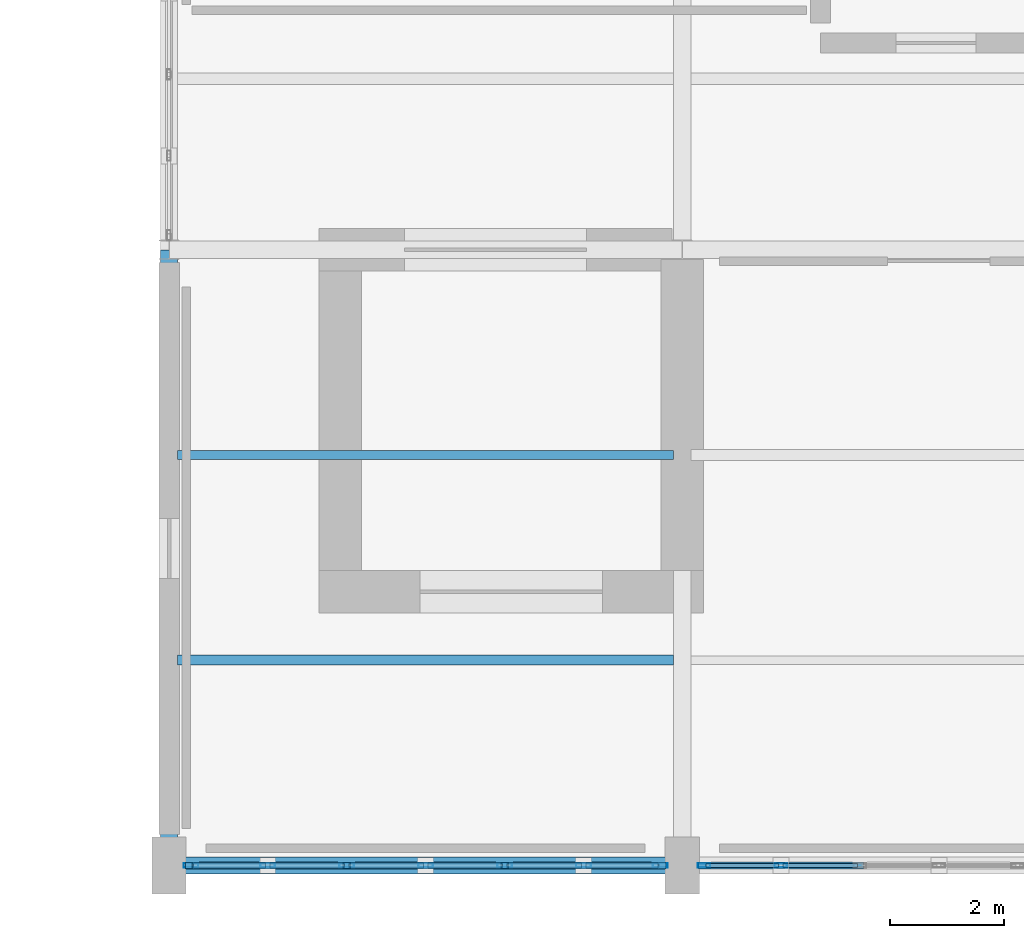
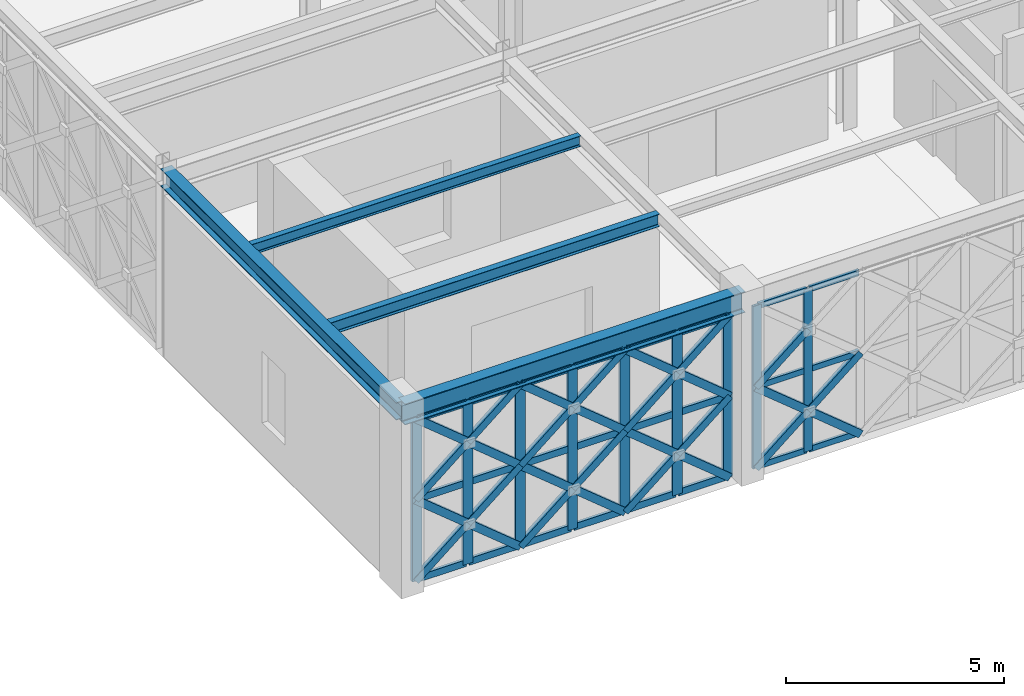
# One storey, part 28 of 166: 55 members, 4 beams, 2 elements without a shape of their own.
"""IFC4 building model written with IfcOpenShell, lengths in metres."""

from ifc_helpers import new_model, si_unit, direction, frame, origin, origin_2d, place, context, subcontext, project, spatial, hollow_rectangle, i_section, extrude, material, material_profile, profile_set, type_object, element, aggregate, save


model = new_model("IFC4")

# Units and contexts
model_context = context("Model", 3, precision=1e-05, world=origin(), true_north=direction((0.0, 1.0)))
body_context = subcontext(model_context, "Body", "Model", "MODEL_VIEW")
ifc_project = project(units=[si_unit("LENGTHUNIT", "METRE"), si_unit("AREAUNIT", "SQUARE_METRE"), si_unit("VOLUMEUNIT", "CUBIC_METRE"), si_unit("PLANEANGLEUNIT", "RADIAN"), si_unit("MASSUNIT", "GRAM", prefix="KILO")], contexts=[model_context])

# Site, building, storey
site_placement = place(None, origin())
site = spatial("IfcSite", under=ifc_project, at=site_placement, CompositionType="ELEMENT")
building_placement = place(site_placement, origin())
building = spatial("IfcBuilding", under=site, at=building_placement, Name="Haizhuo Lancet Aquarium", CompositionType="ELEMENT")
storey_placement = place(building_placement, frame((0.0, 0.0, 5.39990234375)))
storey = spatial("IfcBuildingStorey", under=building, at=storey_placement, Name="L01", CompositionType="ELEMENT", Elevation=5.39990234375)

# Beams
ifc_material_1 = material(Name="Steel S355", Category="steel")
ifc_material_profile_1 = material_profile(ifc_material_1, i_section(OverallWidth=0.300048828125, OverallDepth=0.488037109375, WebThickness=0.010986328125, FlangeThickness=0.01806640625, FilletRadius=0.02392578125, at=origin_2d()), Name="HM 488x300x11x18")
ifc_profile_set_1 = profile_set([ifc_material_profile_1], Name="Steel S355")
beam_type_1 = type_object("IfcBeamType", Name="BM-ST-HM488", PredefinedType="BEAM", material=ifc_profile_set_1)
beam_1_placement = place(storey_placement, frame((-18.0, -55.800048828125, 4.89599609375), z_axis=(0.0, 1.0, 0.0), x_axis=(-1.0, 0.0, 0.0)))
element("IfcBeam", 1, at=beam_1_placement, inside=storey, type_object=beam_type_1, Name="L01 V4 primary girder BM-L01-V4-001", PredefinedType="BEAM", context=body_context, shape_type="SweptSolid", body=[
    extrude(i_section(OverallWidth=0.300048828125, OverallDepth=0.488037109375, WebThickness=0.010986328125, FlangeThickness=0.01806640625, FilletRadius=0.02392578125, at=origin_2d()), origin(), (0.0, 0.0, 1.0), 10.800048828125),
])
ifc_material_profile_2 = material_profile(ifc_material_1, i_section(OverallWidth=0.300048828125, OverallDepth=0.587890625, WebThickness=0.011962890625, FlangeThickness=0.02001953125, FilletRadius=0.02587890625, at=origin_2d()), Name="HM 588x300x12x20")
ifc_profile_set_2 = profile_set([ifc_material_profile_2], Name="Steel S355")
beam_type_2 = type_object("IfcBeamType", Name="BM-ST-HM588", PredefinedType="BEAM", material=ifc_profile_set_2)
beam_2_placement = place(storey_placement, frame((-18.0, -55.800048828125, 4.84619140625), z_axis=(1.0, 0.0, 0.0), x_axis=(0.0, 1.0, 0.0)))
element("IfcBeam", 2, at=beam_2_placement, inside=storey, type_object=beam_type_2, Name="L01 V4 primary girder BM-L01-V4-002", PredefinedType="BEAM", context=body_context, shape_type="SweptSolid", body=[
    extrude(i_section(OverallWidth=0.300048828125, OverallDepth=0.587890625, WebThickness=0.011962890625, FlangeThickness=0.02001953125, FilletRadius=0.02587890625, at=origin_2d()), origin(), (0.0, 0.0, 1.0), 9.0),
])

# Curtain wall, members
ifc_material_2 = material(Name="Aluminium 6063-T6", Category="aluminium")
curtain_wall_type = type_object("IfcCurtainWallType", Name="CWO-8310x4550", PredefinedType="NOTDEFINED", material=ifc_material_2)
curtain_wall_1_placement = place(storey_placement, origin())
curtain_wall_1 = element("IfcCurtainWall", 3, at=curtain_wall_1_placement, inside=storey, type_object=curtain_wall_type, Name="L01 curtain wall CW-V4-L01-098", PredefinedType="NOTDEFINED")
ifc_material_profile_3 = material_profile(ifc_material_2, hollow_rectangle(XDim=0.074951171875, YDim=0.219970703125, WallThickness=0.0048828125, at=origin_2d()), Name="ALU-M 75x220x5")
ifc_profile_set_3 = profile_set([ifc_material_profile_3], Name="Aluminium 6063-T6")
member_type_1 = type_object("IfcMemberType", Name="CW-MUL-2", PredefinedType="MULLION", material=ifc_profile_set_3)
member_1_placement = place(storey_placement, frame((-7.27001953125, -55.800048828125, 0.0), z_axis=(0.0, 0.0, 1.0), x_axis=(0.0, -1.0, 0.0)))
member_1 = element("IfcMember", 4, at=member_1_placement, type_object=member_type_1, Name="CWO-83x45 mullion 6", PredefinedType="MULLION", context=body_context, shape_type="SweptSolid", body=[
    extrude(hollow_rectangle(XDim=0.074951171875, YDim=0.219970703125, WallThickness=0.0048828125, at=origin_2d()), origin(), (0.0, 0.0, 1.0), 4.552001953125),
])
member_2_placement = place(storey_placement, frame((-8.616943359375, -55.800048828125, 0.0), z_axis=(0.0, 0.0, 1.0), x_axis=(0.0, -1.0, 0.0)))
member_2 = element("IfcMember", 5, at=member_2_placement, type_object=member_type_1, Name="CWO-83x45 mullion 7", PredefinedType="MULLION", context=body_context, shape_type="SweptSolid", body=[
    extrude(hollow_rectangle(XDim=0.074951171875, YDim=0.219970703125, WallThickness=0.0048828125, at=origin_2d()), origin(), (0.0, 0.0, 1.0), 4.552001953125),
])

curtain_wall_2_placement = place(storey_placement, origin())
curtain_wall_2 = element("IfcCurtainWall", 6, at=curtain_wall_2_placement, inside=storey, type_object=curtain_wall_type, Name="L01 curtain wall CW-V4-L01-099", PredefinedType="NOTDEFINED")
ifc_material_profile_4 = material_profile(ifc_material_2, hollow_rectangle(XDim=0.080078125, YDim=0.260009765625, WallThickness=0.0048828125, at=origin_2d()), Name="ALU-M 80x260x5")
ifc_profile_set_4 = profile_set([ifc_material_profile_4], Name="Aluminium 6063-T6")
member_type_2 = type_object("IfcMemberType", Name="CW-MUL-3", PredefinedType="MULLION", material=ifc_profile_set_4)
member_3_placement = place(storey_placement, frame((-9.385009765625, -55.800048828125, 0.0), z_axis=(0.0, 0.0, 1.0), x_axis=(0.0, -1.0, 0.0)))
member_3 = element("IfcMember", 7, at=member_3_placement, type_object=member_type_2, Name="CWO-83x45 mullion 1", PredefinedType="MULLION", context=body_context, shape_type="SweptSolid", body=[
    extrude(hollow_rectangle(XDim=0.080078125, YDim=0.260009765625, WallThickness=0.0048828125, at=origin_2d()), origin(), (0.0, 0.0, 1.0), 4.552001953125),
])
member_4_placement = place(storey_placement, frame((-10.72998046875, -55.800048828125, 0.0), z_axis=(0.0, 0.0, 1.0), x_axis=(0.0, -1.0, 0.0)))
member_4 = element("IfcMember", 8, at=member_4_placement, type_object=member_type_2, Name="CWO-83x45 mullion 2", PredefinedType="MULLION", context=body_context, shape_type="SweptSolid", body=[
    extrude(hollow_rectangle(XDim=0.080078125, YDim=0.260009765625, WallThickness=0.0048828125, at=origin_2d()), origin(), (0.0, 0.0, 1.0), 4.552001953125),
])
member_5_placement = place(storey_placement, frame((-12.114990234375, -55.800048828125, 0.0), z_axis=(0.0, 0.0, 1.0), x_axis=(0.0, -1.0, 0.0)))
member_5 = element("IfcMember", 9, at=member_5_placement, type_object=member_type_2, Name="CWO-83x45 mullion 3", PredefinedType="MULLION", context=body_context, shape_type="SweptSolid", body=[
    extrude(hollow_rectangle(XDim=0.080078125, YDim=0.260009765625, WallThickness=0.0048828125, at=origin_2d()), origin(), (0.0, 0.0, 1.0), 4.552001953125),
])
member_6_placement = place(storey_placement, frame((-13.5, -55.800048828125, 0.0), z_axis=(0.0, 0.0, 1.0), x_axis=(0.0, -1.0, 0.0)))
member_6 = element("IfcMember", 10, at=member_6_placement, type_object=member_type_2, Name="CWO-83x45 mullion 4", PredefinedType="MULLION", context=body_context, shape_type="SweptSolid", body=[
    extrude(hollow_rectangle(XDim=0.080078125, YDim=0.260009765625, WallThickness=0.0048828125, at=origin_2d()), origin(), (0.0, 0.0, 1.0), 4.552001953125),
])
member_7_placement = place(storey_placement, frame((-14.885009765625, -55.800048828125, 0.0), z_axis=(0.0, 0.0, 1.0), x_axis=(0.0, -1.0, 0.0)))
member_7 = element("IfcMember", 11, at=member_7_placement, type_object=member_type_2, Name="CWO-83x45 mullion 5", PredefinedType="MULLION", context=body_context, shape_type="SweptSolid", body=[
    extrude(hollow_rectangle(XDim=0.080078125, YDim=0.260009765625, WallThickness=0.0048828125, at=origin_2d()), origin(), (0.0, 0.0, 1.0), 4.552001953125),
])
member_8_placement = place(storey_placement, frame((-16.27001953125, -55.800048828125, 0.0), z_axis=(0.0, 0.0, 1.0), x_axis=(0.0, -1.0, 0.0)))
member_8 = element("IfcMember", 12, at=member_8_placement, type_object=member_type_2, Name="CWO-83x45 mullion 6", PredefinedType="MULLION", context=body_context, shape_type="SweptSolid", body=[
    extrude(hollow_rectangle(XDim=0.080078125, YDim=0.260009765625, WallThickness=0.0048828125, at=origin_2d()), origin(), (0.0, 0.0, 1.0), 4.552001953125),
])
member_9_placement = place(storey_placement, frame((-17.614990234375, -55.800048828125, 0.0), z_axis=(0.0, 0.0, 1.0), x_axis=(0.0, -1.0, 0.0)))
member_9 = element("IfcMember", 13, at=member_9_placement, type_object=member_type_2, Name="CWO-83x45 mullion 7", PredefinedType="MULLION", context=body_context, shape_type="SweptSolid", body=[
    extrude(hollow_rectangle(XDim=0.080078125, YDim=0.260009765625, WallThickness=0.0048828125, at=origin_2d()), origin(), (0.0, 0.0, 1.0), 4.552001953125),
])

# Member
ifc_material_profile_5 = material_profile(ifc_material_2, hollow_rectangle(XDim=0.074951171875, YDim=0.159912109375, WallThickness=0.00390625, at=origin_2d()), Name="ALU-T 75x160x4")
ifc_profile_set_5 = profile_set([ifc_material_profile_5], Name="Aluminium 6063-T6")
member_type_3 = type_object("IfcMemberType", Name="CW-TRN-2", PredefinedType="NOTDEFINED", material=ifc_profile_set_5)
member_10_placement = place(storey_placement, frame((-5.922119140625, -55.800048828125, 0.0380859375), z_axis=(-1.0, 0.0, 0.0), x_axis=(0.0, -1.0, 0.0)))
member_10 = element("IfcMember", 14, at=member_10_placement, type_object=member_type_3, Name="CWO-83x45 transom 5.1", ObjectType="TRANSOM", PredefinedType="USERDEFINED", context=body_context, shape_type="SweptSolid", body=[
    extrude(hollow_rectangle(XDim=0.074951171875, YDim=0.159912109375, WallThickness=0.00390625, at=origin_2d()), origin(), (0.0, 0.0, 1.0), 1.309814453125),
])

member_11_placement = place(storey_placement, frame((-5.922119140625, -55.800048828125, 2.276123046875), z_axis=(-1.0, 0.0, 0.0), x_axis=(0.0, -1.0, 0.0)))
member_11 = element("IfcMember", 15, at=member_11_placement, type_object=member_type_3, Name="CWO-83x45 transom 5.2", ObjectType="TRANSOM", PredefinedType="USERDEFINED", context=body_context, shape_type="SweptSolid", body=[
    extrude(hollow_rectangle(XDim=0.074951171875, YDim=0.159912109375, WallThickness=0.00390625, at=origin_2d()), origin(), (0.0, 0.0, 1.0), 1.309814453125),
])

member_12_placement = place(storey_placement, frame((-5.922119140625, -55.800048828125, 4.51513671875), z_axis=(-1.0, 0.0, 0.0), x_axis=(0.0, -1.0, 0.0)))
member_12 = element("IfcMember", 16, at=member_12_placement, type_object=member_type_3, Name="CWO-83x45 transom 5.3", ObjectType="TRANSOM", PredefinedType="USERDEFINED", context=body_context, shape_type="SweptSolid", body=[
    extrude(hollow_rectangle(XDim=0.074951171875, YDim=0.159912109375, WallThickness=0.00390625, at=origin_2d()), origin(), (0.0, 0.0, 1.0), 1.309814453125),
])

member_13_placement = place(storey_placement, frame((-7.306884765625, -55.800048828125, 0.0380859375), z_axis=(-1.0, 0.0, 0.0), x_axis=(0.0, -1.0, 0.0)))
member_13 = element("IfcMember", 17, at=member_13_placement, type_object=member_type_3, Name="CWO-83x45 transom 6.1", ObjectType="TRANSOM", PredefinedType="USERDEFINED", context=body_context, shape_type="SweptSolid", body=[
    extrude(hollow_rectangle(XDim=0.074951171875, YDim=0.159912109375, WallThickness=0.00390625, at=origin_2d()), origin(), (0.0, 0.0, 1.0), 1.273193359375),
])

member_14_placement = place(storey_placement, frame((-7.306884765625, -55.800048828125, 2.276123046875), z_axis=(-1.0, 0.0, 0.0), x_axis=(0.0, -1.0, 0.0)))
member_14 = element("IfcMember", 18, at=member_14_placement, type_object=member_type_3, Name="CWO-83x45 transom 6.2", ObjectType="TRANSOM", PredefinedType="USERDEFINED", context=body_context, shape_type="SweptSolid", body=[
    extrude(hollow_rectangle(XDim=0.074951171875, YDim=0.159912109375, WallThickness=0.00390625, at=origin_2d()), origin(), (0.0, 0.0, 1.0), 1.273193359375),
])

member_15_placement = place(storey_placement, frame((-7.306884765625, -55.800048828125, 4.51513671875), z_axis=(-1.0, 0.0, 0.0), x_axis=(0.0, -1.0, 0.0)))
member_15 = element("IfcMember", 19, at=member_15_placement, type_object=member_type_3, Name="CWO-83x45 transom 6.3", ObjectType="TRANSOM", PredefinedType="USERDEFINED", context=body_context, shape_type="SweptSolid", body=[
    extrude(hollow_rectangle(XDim=0.074951171875, YDim=0.159912109375, WallThickness=0.00390625, at=origin_2d()), origin(), (0.0, 0.0, 1.0), 1.273193359375),
])

aggregate(curtain_wall_1, [member_1, member_2, member_10, member_11, member_12, member_13, member_14, member_15])

ifc_material_profile_6 = material_profile(ifc_material_2, hollow_rectangle(XDim=0.080078125, YDim=0.18994140625, WallThickness=0.0048828125, at=origin_2d()), Name="ALU-T 80x190x5")
ifc_profile_set_6 = profile_set([ifc_material_profile_6], Name="Aluminium 6063-T6")
member_type_4 = type_object("IfcMemberType", Name="CW-TRN-3", PredefinedType="NOTDEFINED", material=ifc_profile_set_6)
member_16_placement = place(storey_placement, frame((-9.425048828125, -55.800048828125, 0.0400390625), z_axis=(-1.0, 0.0, 0.0), x_axis=(0.0, -1.0, 0.0)))
member_16 = element("IfcMember", 20, at=member_16_placement, type_object=member_type_4, Name="CWO-83x45 transom 1.1", ObjectType="TRANSOM", PredefinedType="USERDEFINED", context=body_context, shape_type="SweptSolid", body=[
    extrude(hollow_rectangle(XDim=0.080078125, YDim=0.18994140625, WallThickness=0.0048828125, at=origin_2d()), origin(), (0.0, 0.0, 1.0), 1.264892578125),
])

member_17_placement = place(storey_placement, frame((-9.425048828125, -55.800048828125, 2.276123046875), z_axis=(-1.0, 0.0, 0.0), x_axis=(0.0, -1.0, 0.0)))
member_17 = element("IfcMember", 21, at=member_17_placement, type_object=member_type_4, Name="CWO-83x45 transom 1.2", ObjectType="TRANSOM", PredefinedType="USERDEFINED", context=body_context, shape_type="SweptSolid", body=[
    extrude(hollow_rectangle(XDim=0.080078125, YDim=0.18994140625, WallThickness=0.0048828125, at=origin_2d()), origin(), (0.0, 0.0, 1.0), 1.264892578125),
])

member_18_placement = place(storey_placement, frame((-9.425048828125, -55.800048828125, 4.51220703125), z_axis=(-1.0, 0.0, 0.0), x_axis=(0.0, -1.0, 0.0)))
member_18 = element("IfcMember", 22, at=member_18_placement, type_object=member_type_4, Name="CWO-83x45 transom 1.3", ObjectType="TRANSOM", PredefinedType="USERDEFINED", context=body_context, shape_type="SweptSolid", body=[
    extrude(hollow_rectangle(XDim=0.080078125, YDim=0.18994140625, WallThickness=0.0048828125, at=origin_2d()), origin(), (0.0, 0.0, 1.0), 1.264892578125),
])

member_19_placement = place(storey_placement, frame((-10.77001953125, -55.800048828125, 0.0400390625), z_axis=(-1.0, 0.0, 0.0), x_axis=(0.0, -1.0, 0.0)))
member_19 = element("IfcMember", 23, at=member_19_placement, type_object=member_type_4, Name="CWO-83x45 transom 2.1", ObjectType="TRANSOM", PredefinedType="USERDEFINED", context=body_context, shape_type="SweptSolid", body=[
    extrude(hollow_rectangle(XDim=0.080078125, YDim=0.18994140625, WallThickness=0.0048828125, at=origin_2d()), origin(), (0.0, 0.0, 1.0), 1.304931640625),
])

member_20_placement = place(storey_placement, frame((-10.77001953125, -55.800048828125, 2.276123046875), z_axis=(-1.0, 0.0, 0.0), x_axis=(0.0, -1.0, 0.0)))
member_20 = element("IfcMember", 24, at=member_20_placement, type_object=member_type_4, Name="CWO-83x45 transom 2.2", ObjectType="TRANSOM", PredefinedType="USERDEFINED", context=body_context, shape_type="SweptSolid", body=[
    extrude(hollow_rectangle(XDim=0.080078125, YDim=0.18994140625, WallThickness=0.0048828125, at=origin_2d()), origin(), (0.0, 0.0, 1.0), 1.304931640625),
])

member_21_placement = place(storey_placement, frame((-10.77001953125, -55.800048828125, 4.51220703125), z_axis=(-1.0, 0.0, 0.0), x_axis=(0.0, -1.0, 0.0)))
member_21 = element("IfcMember", 25, at=member_21_placement, type_object=member_type_4, Name="CWO-83x45 transom 2.3", ObjectType="TRANSOM", PredefinedType="USERDEFINED", context=body_context, shape_type="SweptSolid", body=[
    extrude(hollow_rectangle(XDim=0.080078125, YDim=0.18994140625, WallThickness=0.0048828125, at=origin_2d()), origin(), (0.0, 0.0, 1.0), 1.304931640625),
])

member_22_placement = place(storey_placement, frame((-12.155029296875, -55.800048828125, 0.0400390625), z_axis=(-1.0, 0.0, 0.0), x_axis=(0.0, -1.0, 0.0)))
member_22 = element("IfcMember", 26, at=member_22_placement, type_object=member_type_4, Name="CWO-83x45 transom 3.1", ObjectType="TRANSOM", PredefinedType="USERDEFINED", context=body_context, shape_type="SweptSolid", body=[
    extrude(hollow_rectangle(XDim=0.080078125, YDim=0.18994140625, WallThickness=0.0048828125, at=origin_2d()), origin(), (0.0, 0.0, 1.0), 1.304931640625),
])

member_23_placement = place(storey_placement, frame((-12.155029296875, -55.800048828125, 2.276123046875), z_axis=(-1.0, 0.0, 0.0), x_axis=(0.0, -1.0, 0.0)))
member_23 = element("IfcMember", 27, at=member_23_placement, type_object=member_type_4, Name="CWO-83x45 transom 3.2", ObjectType="TRANSOM", PredefinedType="USERDEFINED", context=body_context, shape_type="SweptSolid", body=[
    extrude(hollow_rectangle(XDim=0.080078125, YDim=0.18994140625, WallThickness=0.0048828125, at=origin_2d()), origin(), (0.0, 0.0, 1.0), 1.304931640625),
])

member_24_placement = place(storey_placement, frame((-12.155029296875, -55.800048828125, 4.51220703125), z_axis=(-1.0, 0.0, 0.0), x_axis=(0.0, -1.0, 0.0)))
member_24 = element("IfcMember", 28, at=member_24_placement, type_object=member_type_4, Name="CWO-83x45 transom 3.3", ObjectType="TRANSOM", PredefinedType="USERDEFINED", context=body_context, shape_type="SweptSolid", body=[
    extrude(hollow_rectangle(XDim=0.080078125, YDim=0.18994140625, WallThickness=0.0048828125, at=origin_2d()), origin(), (0.0, 0.0, 1.0), 1.304931640625),
])

member_25_placement = place(storey_placement, frame((-13.5400390625, -55.800048828125, 0.0400390625), z_axis=(-1.0, 0.0, 0.0), x_axis=(0.0, -1.0, 0.0)))
member_25 = element("IfcMember", 29, at=member_25_placement, type_object=member_type_4, Name="CWO-83x45 transom 4.1", ObjectType="TRANSOM", PredefinedType="USERDEFINED", context=body_context, shape_type="SweptSolid", body=[
    extrude(hollow_rectangle(XDim=0.080078125, YDim=0.18994140625, WallThickness=0.0048828125, at=origin_2d()), origin(), (0.0, 0.0, 1.0), 1.304931640625),
])

member_26_placement = place(storey_placement, frame((-13.5400390625, -55.800048828125, 2.276123046875), z_axis=(-1.0, 0.0, 0.0), x_axis=(0.0, -1.0, 0.0)))
member_26 = element("IfcMember", 30, at=member_26_placement, type_object=member_type_4, Name="CWO-83x45 transom 4.2", ObjectType="TRANSOM", PredefinedType="USERDEFINED", context=body_context, shape_type="SweptSolid", body=[
    extrude(hollow_rectangle(XDim=0.080078125, YDim=0.18994140625, WallThickness=0.0048828125, at=origin_2d()), origin(), (0.0, 0.0, 1.0), 1.304931640625),
])

member_27_placement = place(storey_placement, frame((-13.5400390625, -55.800048828125, 4.51220703125), z_axis=(-1.0, 0.0, 0.0), x_axis=(0.0, -1.0, 0.0)))
member_27 = element("IfcMember", 31, at=member_27_placement, type_object=member_type_4, Name="CWO-83x45 transom 4.3", ObjectType="TRANSOM", PredefinedType="USERDEFINED", context=body_context, shape_type="SweptSolid", body=[
    extrude(hollow_rectangle(XDim=0.080078125, YDim=0.18994140625, WallThickness=0.0048828125, at=origin_2d()), origin(), (0.0, 0.0, 1.0), 1.304931640625),
])

member_28_placement = place(storey_placement, frame((-14.925048828125, -55.800048828125, 0.0400390625), z_axis=(-1.0, 0.0, 0.0), x_axis=(0.0, -1.0, 0.0)))
member_28 = element("IfcMember", 32, at=member_28_placement, type_object=member_type_4, Name="CWO-83x45 transom 5.1", ObjectType="TRANSOM", PredefinedType="USERDEFINED", context=body_context, shape_type="SweptSolid", body=[
    extrude(hollow_rectangle(XDim=0.080078125, YDim=0.18994140625, WallThickness=0.0048828125, at=origin_2d()), origin(), (0.0, 0.0, 1.0), 1.304931640625),
])

member_29_placement = place(storey_placement, frame((-14.925048828125, -55.800048828125, 2.276123046875), z_axis=(-1.0, 0.0, 0.0), x_axis=(0.0, -1.0, 0.0)))
member_29 = element("IfcMember", 33, at=member_29_placement, type_object=member_type_4, Name="CWO-83x45 transom 5.2", ObjectType="TRANSOM", PredefinedType="USERDEFINED", context=body_context, shape_type="SweptSolid", body=[
    extrude(hollow_rectangle(XDim=0.080078125, YDim=0.18994140625, WallThickness=0.0048828125, at=origin_2d()), origin(), (0.0, 0.0, 1.0), 1.304931640625),
])

member_30_placement = place(storey_placement, frame((-14.925048828125, -55.800048828125, 4.51220703125), z_axis=(-1.0, 0.0, 0.0), x_axis=(0.0, -1.0, 0.0)))
member_30 = element("IfcMember", 34, at=member_30_placement, type_object=member_type_4, Name="CWO-83x45 transom 5.3", ObjectType="TRANSOM", PredefinedType="USERDEFINED", context=body_context, shape_type="SweptSolid", body=[
    extrude(hollow_rectangle(XDim=0.080078125, YDim=0.18994140625, WallThickness=0.0048828125, at=origin_2d()), origin(), (0.0, 0.0, 1.0), 1.304931640625),
])

member_31_placement = place(storey_placement, frame((-16.31005859375, -55.800048828125, 0.0400390625), z_axis=(-1.0, 0.0, 0.0), x_axis=(0.0, -1.0, 0.0)))
member_31 = element("IfcMember", 35, at=member_31_placement, type_object=member_type_4, Name="CWO-83x45 transom 6.1", ObjectType="TRANSOM", PredefinedType="USERDEFINED", context=body_context, shape_type="SweptSolid", body=[
    extrude(hollow_rectangle(XDim=0.080078125, YDim=0.18994140625, WallThickness=0.0048828125, at=origin_2d()), origin(), (0.0, 0.0, 1.0), 1.264892578125),
])

member_32_placement = place(storey_placement, frame((-16.31005859375, -55.800048828125, 2.276123046875), z_axis=(-1.0, 0.0, 0.0), x_axis=(0.0, -1.0, 0.0)))
member_32 = element("IfcMember", 36, at=member_32_placement, type_object=member_type_4, Name="CWO-83x45 transom 6.2", ObjectType="TRANSOM", PredefinedType="USERDEFINED", context=body_context, shape_type="SweptSolid", body=[
    extrude(hollow_rectangle(XDim=0.080078125, YDim=0.18994140625, WallThickness=0.0048828125, at=origin_2d()), origin(), (0.0, 0.0, 1.0), 1.264892578125),
])

member_33_placement = place(storey_placement, frame((-16.31005859375, -55.800048828125, 4.51220703125), z_axis=(-1.0, 0.0, 0.0), x_axis=(0.0, -1.0, 0.0)))
member_33 = element("IfcMember", 37, at=member_33_placement, type_object=member_type_4, Name="CWO-83x45 transom 6.3", ObjectType="TRANSOM", PredefinedType="USERDEFINED", context=body_context, shape_type="SweptSolid", body=[
    extrude(hollow_rectangle(XDim=0.080078125, YDim=0.18994140625, WallThickness=0.0048828125, at=origin_2d()), origin(), (0.0, 0.0, 1.0), 1.264892578125),
])

aggregate(curtain_wall_2, [member_3, member_4, member_5, member_6, member_7, member_8, member_9, member_16, member_17, member_18, member_19, member_20, member_21, member_22, member_23, member_24, member_25, member_26, member_27, member_28, member_29, member_30, member_31, member_32, member_33])

# Beams
ifc_material_profile_7 = material_profile(ifc_material_1, i_section(OverallWidth=0.14990234375, OverallDepth=0.300048828125, WebThickness=0.006591796875, FlangeThickness=0.009033203125, FilletRadius=0.012939453125, at=origin_2d()), Name="HN 300x150x6.5x9")
ifc_profile_set_7 = profile_set([ifc_material_profile_7], Name="Steel S355")
beam_type_3 = type_object("IfcBeamType", Name="JST-ST-HN300", PredefinedType="JOIST", material=ifc_profile_set_7)
beam_3_placement = place(storey_placement, frame((-17.85009765625, -48.60009765625, 4.989990234375), z_axis=(1.0, 0.0, 0.0), x_axis=(0.0, 1.0, 0.0)))
element("IfcBeam", 38, at=beam_3_placement, inside=storey, type_object=beam_type_3, Name="L01 V4 secondary floor joist 2", PredefinedType="JOIST", context=body_context, shape_type="SweptSolid", body=[
    extrude(i_section(OverallWidth=0.14990234375, OverallDepth=0.300048828125, WebThickness=0.006591796875, FlangeThickness=0.009033203125, FilletRadius=0.012939453125, at=origin_2d()), origin(), (0.0, 0.0, 1.0), 8.7001953125),
])
ifc_material_profile_8 = material_profile(ifc_material_1, i_section(OverallWidth=0.175048828125, OverallDepth=0.35009765625, WebThickness=0.007080078125, FlangeThickness=0.010986328125, FilletRadius=0.013916015625, at=origin_2d()), Name="HN 350x175x7x11")
ifc_profile_set_8 = profile_set([ifc_material_profile_8], Name="Steel S355")
beam_type_4 = type_object("IfcBeamType", Name="JST-ST-HN350", PredefinedType="JOIST", material=ifc_profile_set_8)
beam_4_placement = place(storey_placement, frame((-17.85009765625, -52.199951171875, 4.965087890625), z_axis=(1.0, 0.0, 0.0), x_axis=(0.0, 1.0, 0.0)))
element("IfcBeam", 39, at=beam_4_placement, inside=storey, type_object=beam_type_4, Name="L01 V4 secondary floor joist 1", PredefinedType="JOIST", context=body_context, shape_type="SweptSolid", body=[
    extrude(i_section(OverallWidth=0.175048828125, OverallDepth=0.35009765625, WebThickness=0.007080078125, FlangeThickness=0.010986328125, FilletRadius=0.013916015625, at=origin_2d()), origin(), (0.0, 0.0, 1.0), 8.7001953125),
])

# Members
ifc_material_profile_9 = material_profile(ifc_material_1, hollow_rectangle(XDim=0.1201171875, YDim=0.199951171875, WallThickness=0.008056640625, at=origin_2d()), Name="RHS 120x200x8")
ifc_profile_set_9 = profile_set([ifc_material_profile_9], Name="Steel S355")
member_type_5 = type_object("IfcMemberType", Name="MEM-LB-RHS120x200", PredefinedType="BRACE", material=ifc_profile_set_9)
member_34_placement = place(storey_placement, frame((-5.885009765625, -55.800048828125, 0.0), z_axis=(-0.772623658743, 0.0, 0.634864301997), x_axis=(0.0, -1.0, 0.0)))
element("IfcMember", 40, at=member_34_placement, inside=storey, type_object=member_type_5, Name="Gothic lancet continuous diagonal brace CW-V4-L01-098 5A", PredefinedType="BRACE", context=body_context, shape_type="SweptSolid", body=[
    extrude(hollow_rectangle(XDim=0.1201171875, YDim=0.199951171875, WallThickness=0.008056640625, at=origin_2d()), origin(), (0.0, 0.0, 1.0), 3.585205078125),
])
member_35_placement = place(storey_placement, frame((-8.655029296875, -55.800048828125, 0.0), z_axis=(0.77259025699, 0.0, 0.634904949425), x_axis=(0.0, 1.0, 0.0)))
element("IfcMember", 41, at=member_35_placement, inside=storey, type_object=member_type_5, Name="Gothic lancet split diagonal brace CW-V4-L01-098 5B1", PredefinedType="BRACE", context=body_context, shape_type="SweptSolid", body=[
    extrude(hollow_rectangle(XDim=0.1201171875, YDim=0.199951171875, WallThickness=0.008056640625, at=origin_2d()), origin(), (0.0, 0.0, 1.0), 1.792724609375),
])
for number, where, z_axis, x_axis, name in (
    (42, (-7.27001953125, -55.800048828125, 1.13818359375), (0.772657061245, 0.0, 0.634823649298), (0.0, 1.0, 0.0), "Gothic lancet split diagonal brace CW-V4-L01-098 5B2"),
    (43, (-8.655029296875, -55.800048828125, 2.276123046875), (0.772657061245, 0.0, 0.634823649298), (0.0, 1.0, 0.0), "Gothic lancet split diagonal brace CW-V4-L01-098 6B1"),
):
    element("IfcMember", number, at=place(storey_placement, frame(where, z_axis=z_axis, x_axis=x_axis)), inside=storey, type_object=member_type_5, Name=name, PredefinedType="BRACE", context=body_context, shape_type="SweptSolid", body=[
        extrude(hollow_rectangle(XDim=0.1201171875, YDim=0.199951171875, WallThickness=0.008056640625, at=origin_2d()), origin(), (0.0, 0.0, 1.0), 1.79248046875),
    ])
member_36_placement = place(storey_placement, frame((-9.344970703125, -55.800048828125, 0.0), z_axis=(-0.772623658743, 0.0, 0.634864301997), x_axis=(0.0, -1.0, 0.0)))
element("IfcMember", 44, at=member_36_placement, inside=storey, type_object=member_type_5, Name="Gothic lancet continuous diagonal brace CW-V4-L01-099 1A", PredefinedType="BRACE", context=body_context, shape_type="SweptSolid", body=[
    extrude(hollow_rectangle(XDim=0.1201171875, YDim=0.199951171875, WallThickness=0.008056640625, at=origin_2d()), origin(), (0.0, 0.0, 1.0), 3.585205078125),
])
member_37_placement = place(storey_placement, frame((-12.114990234375, -55.800048828125, 0.0), z_axis=(0.77259025699, 0.0, 0.634904949425), x_axis=(0.0, 1.0, 0.0)))
element("IfcMember", 45, at=member_37_placement, inside=storey, type_object=member_type_5, Name="Gothic lancet split diagonal brace CW-V4-L01-099 1B1", PredefinedType="BRACE", context=body_context, shape_type="SweptSolid", body=[
    extrude(hollow_rectangle(XDim=0.1201171875, YDim=0.199951171875, WallThickness=0.008056640625, at=origin_2d()), origin(), (0.0, 0.0, 1.0), 1.792724609375),
])
member_38_placement = place(storey_placement, frame((-10.72998046875, -55.800048828125, 1.13818359375), z_axis=(0.772657061245, 0.0, 0.634823649298), x_axis=(0.0, 1.0, 0.0)))
element("IfcMember", 46, at=member_38_placement, inside=storey, type_object=member_type_5, Name="Gothic lancet split diagonal brace CW-V4-L01-099 1B2", PredefinedType="BRACE", context=body_context, shape_type="SweptSolid", body=[
    extrude(hollow_rectangle(XDim=0.1201171875, YDim=0.199951171875, WallThickness=0.008056640625, at=origin_2d()), origin(), (0.0, 0.0, 1.0), 1.79248046875),
])
member_39_placement = place(storey_placement, frame((-9.344970703125, -55.800048828125, 2.276123046875), z_axis=(-0.772657061245, 0.0, 0.634823649298), x_axis=(0.0, -1.0, 0.0)))
element("IfcMember", 47, at=member_39_placement, inside=storey, type_object=member_type_5, Name="Gothic lancet continuous diagonal brace CW-V4-L01-099 2A", PredefinedType="BRACE", context=body_context, shape_type="SweptSolid", body=[
    extrude(hollow_rectangle(XDim=0.1201171875, YDim=0.199951171875, WallThickness=0.008056640625, at=origin_2d()), origin(), (0.0, 0.0, 1.0), 3.5849609375),
])
for number, where, z_axis, x_axis, name in (
    (48, (-12.114990234375, -55.800048828125, 2.276123046875), (0.772657061245, 0.0, 0.634823649298), (0.0, 1.0, 0.0), "Gothic lancet split diagonal brace CW-V4-L01-099 2B1"),
    (49, (-10.72998046875, -55.800048828125, 3.4140625), (0.772657061245, 0.0, 0.634823649298), (0.0, 1.0, 0.0), "Gothic lancet split diagonal brace CW-V4-L01-099 2B2"),
):
    element("IfcMember", number, at=place(storey_placement, frame(where, z_axis=z_axis, x_axis=x_axis)), inside=storey, type_object=member_type_5, Name=name, PredefinedType="BRACE", context=body_context, shape_type="SweptSolid", body=[
        extrude(hollow_rectangle(XDim=0.1201171875, YDim=0.199951171875, WallThickness=0.008056640625, at=origin_2d()), origin(), (0.0, 0.0, 1.0), 1.79248046875),
    ])
member_40_placement = place(storey_placement, frame((-12.114990234375, -55.800048828125, 0.0), z_axis=(-0.772623658743, 0.0, 0.634864301997), x_axis=(0.0, -1.0, 0.0)))
element("IfcMember", 50, at=member_40_placement, inside=storey, type_object=member_type_5, Name="Gothic lancet continuous diagonal brace CW-V4-L01-099 3A", PredefinedType="BRACE", context=body_context, shape_type="SweptSolid", body=[
    extrude(hollow_rectangle(XDim=0.1201171875, YDim=0.199951171875, WallThickness=0.008056640625, at=origin_2d()), origin(), (0.0, 0.0, 1.0), 3.585205078125),
])
member_41_placement = place(storey_placement, frame((-14.885009765625, -55.800048828125, 0.0), z_axis=(0.77259025699, 0.0, 0.634904949425), x_axis=(0.0, 1.0, 0.0)))
element("IfcMember", 51, at=member_41_placement, inside=storey, type_object=member_type_5, Name="Gothic lancet split diagonal brace CW-V4-L01-099 3B1", PredefinedType="BRACE", context=body_context, shape_type="SweptSolid", body=[
    extrude(hollow_rectangle(XDim=0.1201171875, YDim=0.199951171875, WallThickness=0.008056640625, at=origin_2d()), origin(), (0.0, 0.0, 1.0), 1.792724609375),
])
member_42_placement = place(storey_placement, frame((-13.5, -55.800048828125, 1.13818359375), z_axis=(0.772657061245, 0.0, 0.634823649298), x_axis=(0.0, 1.0, 0.0)))
element("IfcMember", 52, at=member_42_placement, inside=storey, type_object=member_type_5, Name="Gothic lancet split diagonal brace CW-V4-L01-099 3B2", PredefinedType="BRACE", context=body_context, shape_type="SweptSolid", body=[
    extrude(hollow_rectangle(XDim=0.1201171875, YDim=0.199951171875, WallThickness=0.008056640625, at=origin_2d()), origin(), (0.0, 0.0, 1.0), 1.79248046875),
])
member_43_placement = place(storey_placement, frame((-12.114990234375, -55.800048828125, 2.276123046875), z_axis=(-0.772657061245, 0.0, 0.634823649298), x_axis=(0.0, -1.0, 0.0)))
element("IfcMember", 53, at=member_43_placement, inside=storey, type_object=member_type_5, Name="Gothic lancet continuous diagonal brace CW-V4-L01-099 4A", PredefinedType="BRACE", context=body_context, shape_type="SweptSolid", body=[
    extrude(hollow_rectangle(XDim=0.1201171875, YDim=0.199951171875, WallThickness=0.008056640625, at=origin_2d()), origin(), (0.0, 0.0, 1.0), 3.5849609375),
])
for number, where, z_axis, x_axis, name in (
    (54, (-14.885009765625, -55.800048828125, 2.276123046875), (0.772657061245, 0.0, 0.634823649298), (0.0, 1.0, 0.0), "Gothic lancet split diagonal brace CW-V4-L01-099 4B1"),
    (55, (-13.5, -55.800048828125, 3.4140625), (0.772657061245, 0.0, 0.634823649298), (0.0, 1.0, 0.0), "Gothic lancet split diagonal brace CW-V4-L01-099 4B2"),
):
    element("IfcMember", number, at=place(storey_placement, frame(where, z_axis=z_axis, x_axis=x_axis)), inside=storey, type_object=member_type_5, Name=name, PredefinedType="BRACE", context=body_context, shape_type="SweptSolid", body=[
        extrude(hollow_rectangle(XDim=0.1201171875, YDim=0.199951171875, WallThickness=0.008056640625, at=origin_2d()), origin(), (0.0, 0.0, 1.0), 1.79248046875),
    ])
member_44_placement = place(storey_placement, frame((-14.885009765625, -55.800048828125, 0.0), z_axis=(-0.772623658743, 0.0, 0.634864301997), x_axis=(0.0, -1.0, 0.0)))
element("IfcMember", 56, at=member_44_placement, inside=storey, type_object=member_type_5, Name="Gothic lancet continuous diagonal brace CW-V4-L01-099 5A", PredefinedType="BRACE", context=body_context, shape_type="SweptSolid", body=[
    extrude(hollow_rectangle(XDim=0.1201171875, YDim=0.199951171875, WallThickness=0.008056640625, at=origin_2d()), origin(), (0.0, 0.0, 1.0), 3.585205078125),
])
member_45_placement = place(storey_placement, frame((-17.655029296875, -55.800048828125, 0.0), z_axis=(0.77259025699, 0.0, 0.634904949425), x_axis=(0.0, 1.0, 0.0)))
element("IfcMember", 57, at=member_45_placement, inside=storey, type_object=member_type_5, Name="Gothic lancet split diagonal brace CW-V4-L01-099 5B1", PredefinedType="BRACE", context=body_context, shape_type="SweptSolid", body=[
    extrude(hollow_rectangle(XDim=0.1201171875, YDim=0.199951171875, WallThickness=0.008056640625, at=origin_2d()), origin(), (0.0, 0.0, 1.0), 1.792724609375),
])
member_46_placement = place(storey_placement, frame((-16.27001953125, -55.800048828125, 1.13818359375), z_axis=(0.772657061245, 0.0, 0.634823649298), x_axis=(0.0, 1.0, 0.0)))
element("IfcMember", 58, at=member_46_placement, inside=storey, type_object=member_type_5, Name="Gothic lancet split diagonal brace CW-V4-L01-099 5B2", PredefinedType="BRACE", context=body_context, shape_type="SweptSolid", body=[
    extrude(hollow_rectangle(XDim=0.1201171875, YDim=0.199951171875, WallThickness=0.008056640625, at=origin_2d()), origin(), (0.0, 0.0, 1.0), 1.79248046875),
])
member_47_placement = place(storey_placement, frame((-14.885009765625, -55.800048828125, 2.276123046875), z_axis=(-0.772657061245, 0.0, 0.634823649298), x_axis=(0.0, -1.0, 0.0)))
element("IfcMember", 59, at=member_47_placement, inside=storey, type_object=member_type_5, Name="Gothic lancet continuous diagonal brace CW-V4-L01-099 6A", PredefinedType="BRACE", context=body_context, shape_type="SweptSolid", body=[
    extrude(hollow_rectangle(XDim=0.1201171875, YDim=0.199951171875, WallThickness=0.008056640625, at=origin_2d()), origin(), (0.0, 0.0, 1.0), 3.5849609375),
])
for number, where, z_axis, x_axis, name in (
    (60, (-17.655029296875, -55.800048828125, 2.276123046875), (0.772657061245, 0.0, 0.634823649298), (0.0, 1.0, 0.0), "Gothic lancet split diagonal brace CW-V4-L01-099 6B1"),
    (61, (-16.27001953125, -55.800048828125, 3.4140625), (0.772657061245, 0.0, 0.634823649298), (0.0, 1.0, 0.0), "Gothic lancet split diagonal brace CW-V4-L01-099 6B2"),
):
    element("IfcMember", number, at=place(storey_placement, frame(where, z_axis=z_axis, x_axis=x_axis)), inside=storey, type_object=member_type_5, Name=name, PredefinedType="BRACE", context=body_context, shape_type="SweptSolid", body=[
        extrude(hollow_rectangle(XDim=0.1201171875, YDim=0.199951171875, WallThickness=0.008056640625, at=origin_2d()), origin(), (0.0, 0.0, 1.0), 1.79248046875),
    ])

save(model, "model.ifc")
